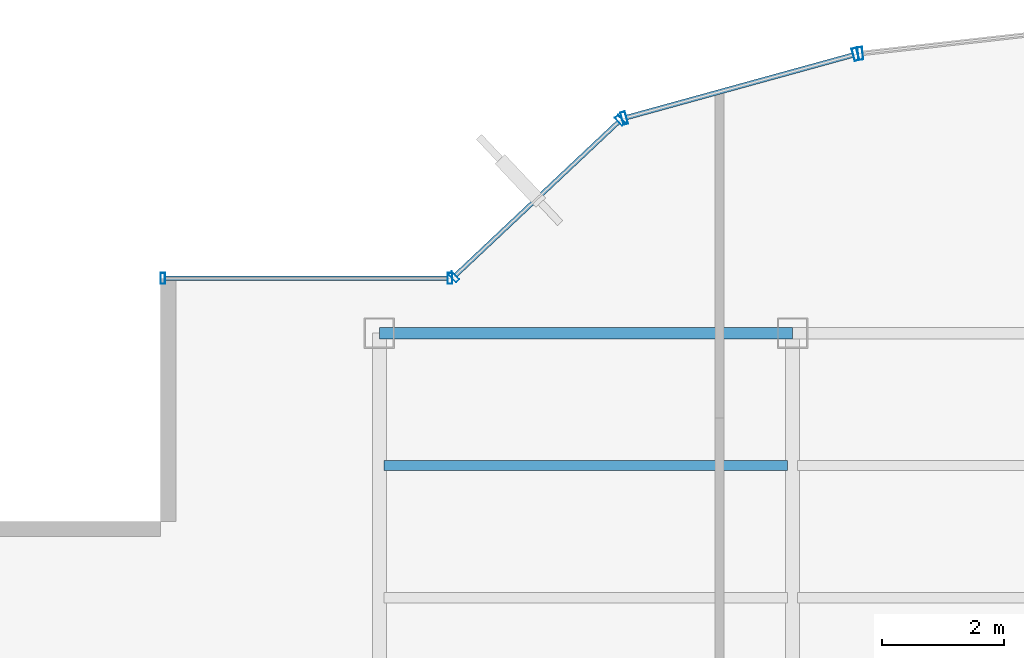
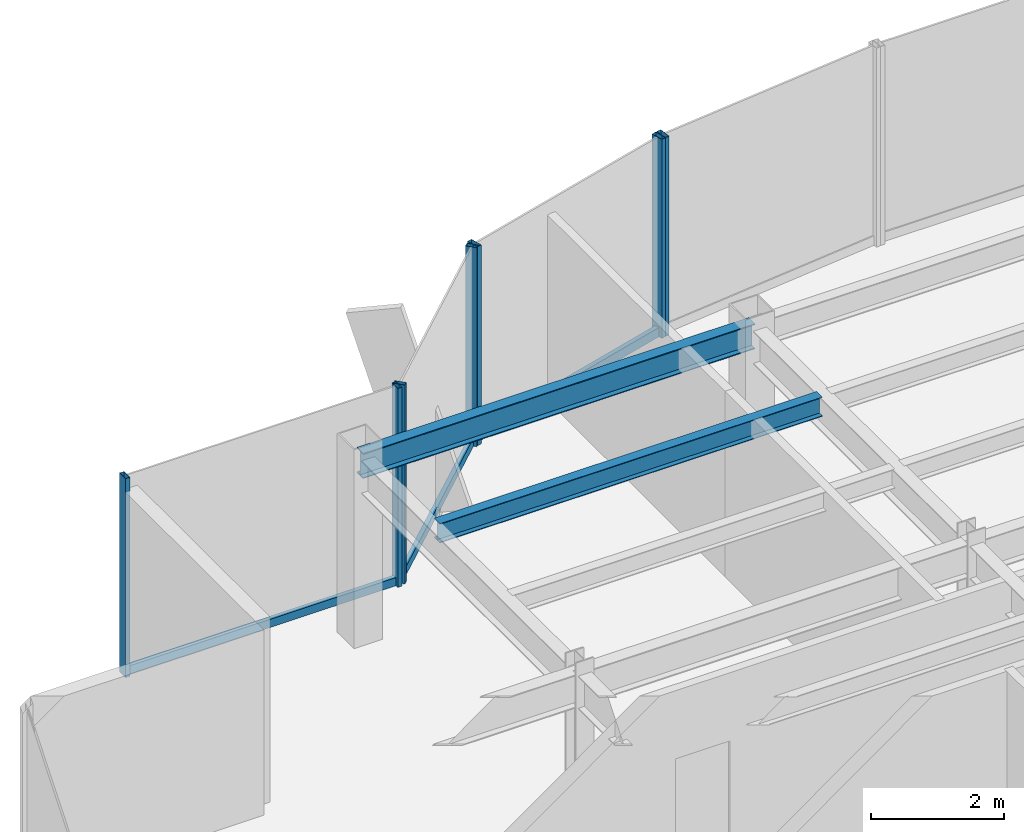
# One storey, part 12 of 22: 10 members, 2 beams, 4 elements without a shape of their own.
"""IFC4 building model written with IfcOpenShell, lengths in metres."""

from ifc_helpers import new_model, si_unit, derived_unit, direction, frame, origin, origin_2d, place, context, subcontext, project, spatial, hollow_rectangle, i_section, extrude, source, transform, mapped, material, material_profile, profile_set, type_object, element, aggregate, save


model = new_model("IFC4")

# Units and contexts
model_context = context("Model", 3, precision=1e-05, world=origin(), true_north=direction((0.0, 1.0)))
body_context = subcontext(model_context, "Body", "Model", "MODEL_VIEW")
ifc_project = project(units=[si_unit("LENGTHUNIT", "METRE"), si_unit("AREAUNIT", "SQUARE_METRE"), si_unit("VOLUMEUNIT", "CUBIC_METRE"), si_unit("PLANEANGLEUNIT", "RADIAN"), si_unit("MASSUNIT", "GRAM", prefix="KILO"), derived_unit("THERMALTRANSMITTANCEUNIT", [(si_unit("POWERUNIT", "WATT"), 1), (si_unit("LENGTHUNIT", "METRE"), -2), (si_unit("THERMODYNAMICTEMPERATUREUNIT", "KELVIN"), -1)])], contexts=[model_context])

# Site, building, storey
site_placement = place(None, origin())
site = spatial("IfcSite", under=ifc_project, at=site_placement, CompositionType="ELEMENT")
building_placement = place(site_placement, origin())
building = spatial("IfcBuilding", under=site, at=building_placement, Name="Skarnbrae Concourse Arena and Tower", CompositionType="ELEMENT")
storey_placement = place(building_placement, frame((0.0, 0.0, 199.550048828125)))
storey = spatial("IfcBuildingStorey", under=building, at=storey_placement, Name="L51", CompositionType="ELEMENT", Elevation=199.550048828125)

# Beams
ifc_material_1 = material(Name="Steel CSA G40.21 350W", Category="steel")
ifc_material_profile_1 = material_profile(ifc_material_1, i_section(OverallWidth=0.19091796875, OverallDepth=0.4599609375, WebThickness=0.010009765625, FlangeThickness=0.01611328125, at=origin_2d()), Name="W460X82")
ifc_profile_set_1 = profile_set([ifc_material_profile_1], Name="Steel CSA G40.21 350W")
beam_type_1 = type_object("IfcBeamType", Name="BM-SPAN-W460X82", PredefinedType="SPANDREL", material=ifc_profile_set_1)
shared_shape_1 = source(origin(), body_context, "Body", "SweptSolid", [
    extrude(i_section(OverallWidth=0.19091796875, OverallDepth=0.4599609375, WebThickness=0.010009765625, FlangeThickness=0.01611328125, at=origin_2d()), origin(), (0.0, 0.0, 1.0), 6.7998046875),
])
beam_1_placement = place(storey_placement, frame((7.60009765625, 34.39990234375, 3.169921875), z_axis=(1.0, 0.0, 0.0), x_axis=(0.0, 1.0, 0.0)))
element("IfcBeam", 1, at=beam_1_placement, inside=storey, type_object=beam_type_1, Name="L51 Perimeter spandrel Y34.4-1", PredefinedType="SPANDREL", context=body_context, shape_type="MappedRepresentation", body=[
    mapped(shared_shape_1, transform((0.0, 0.0, 0.0))),
])
ifc_material_profile_2 = material_profile(ifc_material_1, i_section(OverallWidth=0.1708984375, OverallDepth=0.35498046875, WebThickness=0.007080078125, FlangeThickness=0.01171875, at=origin_2d()), Name="W360X51")
ifc_profile_set_2 = profile_set([ifc_material_profile_2], Name="Steel CSA G40.21 350W")
beam_type_2 = type_object("IfcBeamType", Name="BM-JOIST-W360X51", PredefinedType="JOIST", material=ifc_profile_set_2)
shared_shape_2 = source(origin(), body_context, "Body", "SweptSolid", [
    extrude(i_section(OverallWidth=0.1708984375, OverallDepth=0.35498046875, WebThickness=0.007080078125, FlangeThickness=0.01171875, at=origin_2d()), origin(), (0.0, 0.0, 1.0), 6.64013671875),
])
beam_2_placement = place(storey_placement, frame((7.679931640625, 32.221923828125, 3.222412109375), z_axis=(1.0, 0.0, 0.0), x_axis=(0.0, 1.0, 0.0)))
element("IfcBeam", 2, at=beam_2_placement, inside=storey, type_object=beam_type_2, Name="L51 Secondary floor joist 3.2.1", PredefinedType="JOIST", context=body_context, shape_type="MappedRepresentation", body=[
    mapped(shared_shape_2, transform((0.0, 0.0, 0.0))),
])

# Curtain wall, member
ifc_material_2 = material(Name="Bronze anodised aluminium 6063-T6", Category="aluminium")
curtain_wall_type_1 = type_object("IfcCurtainWallType", Name="CW-SYS-03-PORTAL", PredefinedType="USERDEFINED", material=ifc_material_2)
curtain_wall_1_placement = place(storey_placement, origin())
curtain_wall_1 = element("IfcCurtainWall", 3, at=curtain_wall_1_placement, inside=storey, type_object=curtain_wall_type_1, Name="L51 Unitised curtain wall CW-L51-E12", ObjectType="UNITISED CURTAIN WALL", PredefinedType="USERDEFINED")
ifc_material_profile_3 = material_profile(ifc_material_2, hollow_rectangle(XDim=0.080078125, YDim=0.2099609375, WallThickness=0.00439453125, at=origin_2d()), Name="ALU-MULL-80X210")
ifc_profile_set_3 = profile_set([ifc_material_profile_3], Name="Bronze anodised aluminium 6063-T6")
member_type_1 = type_object("IfcMemberType", Name="CWM-CW-03", PredefinedType="MULLION", material=ifc_profile_set_3)
shared_shape_3 = source(origin(), body_context, "Body", "SweptSolid", [
    extrude(hollow_rectangle(XDim=0.080078125, YDim=0.2099609375, WallThickness=0.00439453125, at=origin_2d()), origin(), (0.0, 0.0, 1.0), 3.64990234375),
])
member_1_placement = place(storey_placement, frame((15.513916015625, 39.001708984375, 0.0), z_axis=(0.0, 0.0, 1.0), x_axis=(-0.993768891873, -0.111460259941, 0.0)))
member_1 = element("IfcMember", 4, at=member_1_placement, type_object=member_type_1, Name="CW-L51-E12 Mullion 2", PredefinedType="MULLION", context=body_context, shape_type="MappedRepresentation", body=[
    mapped(shared_shape_3, transform((0.0, 0.0, 0.0))),
])
aggregate(curtain_wall_1, [member_1])

# Curtain wall, members
curtain_wall_2_placement = place(storey_placement, origin())
curtain_wall_2 = element("IfcCurtainWall", 5, at=curtain_wall_2_placement, inside=storey, type_object=curtain_wall_type_1, Name="L51 Unitised curtain wall CW-L51-E13", ObjectType="UNITISED CURTAIN WALL", PredefinedType="USERDEFINED")
member_2_placement = place(storey_placement, frame((15.435546875, 38.986572265625, 0.0), z_axis=(0.0, 0.0, 1.0), x_axis=(-0.964057388766, -0.265694093207, 0.0)))
member_2 = element("IfcMember", 6, at=member_2_placement, type_object=member_type_1, Name="CW-L51-E13 Mullion 1", PredefinedType="MULLION", context=body_context, shape_type="MappedRepresentation", body=[
    mapped(shared_shape_3, transform((0.0, 0.0, 0.0))),
])
member_3_placement = place(storey_placement, frame((11.62890625, 37.937255859375, 0.0), z_axis=(0.0, 0.0, 1.0), x_axis=(-0.964057388766, -0.265694093207, 0.0)))
member_3 = element("IfcMember", 7, at=member_3_placement, type_object=member_type_1, Name="CW-L51-E13 Mullion 2", PredefinedType="MULLION", context=body_context, shape_type="MappedRepresentation", body=[
    mapped(shared_shape_3, transform((0.0, 0.0, 0.0))),
])

curtain_wall_type_2 = type_object("IfcCurtainWallType", Name="CW-SYS-05-HIGHZONE", PredefinedType="USERDEFINED", material=ifc_material_2)
curtain_wall_3_placement = place(storey_placement, origin())
curtain_wall_3 = element("IfcCurtainWall", 8, at=curtain_wall_3_placement, inside=storey, type_object=curtain_wall_type_2, Name="L51 Unitised curtain wall CW-L51-E14", ObjectType="UNITISED CURTAIN WALL", PredefinedType="USERDEFINED")
ifc_material_profile_4 = material_profile(ifc_material_2, hollow_rectangle(XDim=0.074951171875, YDim=0.179931640625, WallThickness=0.00390625, at=origin_2d()), Name="ALU-MULL-75X180")
ifc_profile_set_4 = profile_set([ifc_material_profile_4], Name="Bronze anodised aluminium 6063-T6")
member_type_2 = type_object("IfcMemberType", Name="CWM-CW-05", PredefinedType="MULLION", material=ifc_profile_set_4)
shared_shape_4 = source(origin(), body_context, "Body", "SweptSolid", [
    extrude(hollow_rectangle(XDim=0.074951171875, YDim=0.179931640625, WallThickness=0.00390625, at=origin_2d()), origin(), (0.0, 0.0, 1.0), 3.64990234375),
])
member_4_placement = place(storey_placement, frame((11.56298828125, 37.90087890625, 0.0), z_axis=(0.0, 0.0, 1.0), x_axis=(-0.728130555214, -0.685438468838, 0.0)))
member_4 = element("IfcMember", 9, at=member_4_placement, type_object=member_type_2, Name="CW-L51-E14 Mullion 1", PredefinedType="MULLION", context=body_context, shape_type="MappedRepresentation", body=[
    mapped(shared_shape_4, transform((0.0, 0.0, 0.0))),
])
member_5_placement = place(storey_placement, frame((8.827392578125, 35.32568359375, 0.0), z_axis=(0.0, 0.0, 1.0), x_axis=(-0.728130555214, -0.685438468838, 0.0)))
member_5 = element("IfcMember", 10, at=member_5_placement, type_object=member_type_2, Name="CW-L51-E14 Mullion 2", PredefinedType="MULLION", context=body_context, shape_type="MappedRepresentation", body=[
    mapped(shared_shape_4, transform((0.0, 0.0, 0.0))),
])

curtain_wall_4_placement = place(storey_placement, origin())
curtain_wall_4 = element("IfcCurtainWall", 11, at=curtain_wall_4_placement, inside=storey, type_object=curtain_wall_type_2, Name="L51 Unitised curtain wall CW-L51-E15", ObjectType="UNITISED CURTAIN WALL", PredefinedType="USERDEFINED")
member_6_placement = place(storey_placement, frame((8.762451171875, 35.300048828125, 0.0), z_axis=(0.0, 0.0, 1.0), x_axis=(-1.0, 0.0, 0.0)))
member_6 = element("IfcMember", 12, at=member_6_placement, type_object=member_type_2, Name="CW-L51-E15 Mullion 1", PredefinedType="MULLION", context=body_context, shape_type="MappedRepresentation", body=[
    mapped(shared_shape_4, transform((0.0, 0.0, 0.0))),
])
member_7_placement = place(storey_placement, frame((4.03759765625, 35.300048828125, 0.0), z_axis=(0.0, 0.0, 1.0), x_axis=(-1.0, 0.0, 0.0)))
member_7 = element("IfcMember", 13, at=member_7_placement, type_object=member_type_2, Name="CW-L51-E15 Mullion 2", PredefinedType="MULLION", context=body_context, shape_type="MappedRepresentation", body=[
    mapped(shared_shape_4, transform((0.0, 0.0, 0.0))),
])
ifc_material_profile_5 = material_profile(ifc_material_2, hollow_rectangle(XDim=0.074951171875, YDim=0.14990234375, WallThickness=0.00390625, at=origin_2d()), Name="ALU-TRAN-75X150")
ifc_profile_set_5 = profile_set([ifc_material_profile_5], Name="Bronze anodised aluminium 6063-T6")
member_type_3 = type_object("IfcMemberType", Name="CWT-CW-05", PredefinedType="USERDEFINED", material=ifc_profile_set_5)
shared_shape_5 = source(origin(), body_context, "Body", "SweptSolid", [
    extrude(hollow_rectangle(XDim=0.074951171875, YDim=0.14990234375, WallThickness=0.00390625, at=origin_2d()), origin(), (0.0, 0.0, 1.0), 4.650146484375),
])
member_8_placement = place(storey_placement, frame((8.72509765625, 35.300048828125, 0.074951171875), z_axis=(-1.0, 0.0, 0.0), x_axis=(0.0, -1.0, 0.0)))
member_8 = element("IfcMember", 14, at=member_8_placement, type_object=member_type_3, Name="CW-L51-E15 Transom 1", ObjectType="TRANSOM", PredefinedType="USERDEFINED", context=body_context, shape_type="MappedRepresentation", body=[
    mapped(shared_shape_5, transform((0.0, 0.0, 0.0))),
])
aggregate(curtain_wall_4, [member_6, member_7, member_8])

# Member
shared_shape_6 = source(origin(), body_context, "Body", "SweptSolid", [
    extrude(hollow_rectangle(XDim=0.074951171875, YDim=0.14990234375, WallThickness=0.00390625, at=origin_2d()), origin(), (0.0, 0.0, 1.0), 3.68212890625),
])
member_9_placement = place(storey_placement, frame((11.53564453125, 37.875244140625, 0.074951171875), z_axis=(-0.728133808476, -0.685435012933, 0.0), x_axis=(0.685435012933, -0.728133808476, 0.0)))
member_9 = element("IfcMember", 15, at=member_9_placement, type_object=member_type_3, Name="CW-L51-E14 Transom 1", ObjectType="TRANSOM", PredefinedType="USERDEFINED", context=body_context, shape_type="MappedRepresentation", body=[
    mapped(shared_shape_6, transform((0.0, 0.0, 0.0))),
])

aggregate(curtain_wall_3, [member_4, member_5, member_9])

ifc_material_profile_6 = material_profile(ifc_material_2, hollow_rectangle(XDim=0.080078125, YDim=0.169921875, WallThickness=0.00439453125, at=origin_2d()), Name="ALU-TRAN-80X170")
ifc_profile_set_6 = profile_set([ifc_material_profile_6], Name="Bronze anodised aluminium 6063-T6")
member_type_4 = type_object("IfcMemberType", Name="CWT-CW-03", PredefinedType="USERDEFINED", material=ifc_profile_set_6)
shared_shape_7 = source(origin(), body_context, "Body", "SweptSolid", [
    extrude(hollow_rectangle(XDim=0.080078125, YDim=0.169921875, WallThickness=0.00439453125, at=origin_2d()), origin(), (0.0, 0.0, 1.0), 3.86865234375),
])
member_10_placement = place(storey_placement, frame((15.397216796875, 38.975830078125, 0.0849609375), z_axis=(-0.964062872218, -0.265674195983, 0.0), x_axis=(0.265674195983, -0.964062872218, 0.0)))
member_10 = element("IfcMember", 16, at=member_10_placement, type_object=member_type_4, Name="CW-L51-E13 Transom 1", ObjectType="TRANSOM", PredefinedType="USERDEFINED", context=body_context, shape_type="MappedRepresentation", body=[
    mapped(shared_shape_7, transform((0.0, 0.0, 0.0))),
])

aggregate(curtain_wall_2, [member_2, member_3, member_10])

save(model, "model.ifc")
